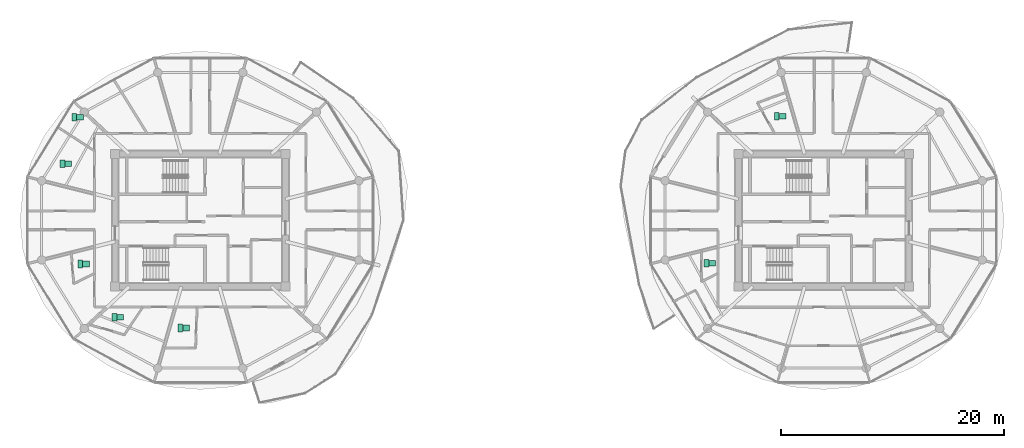
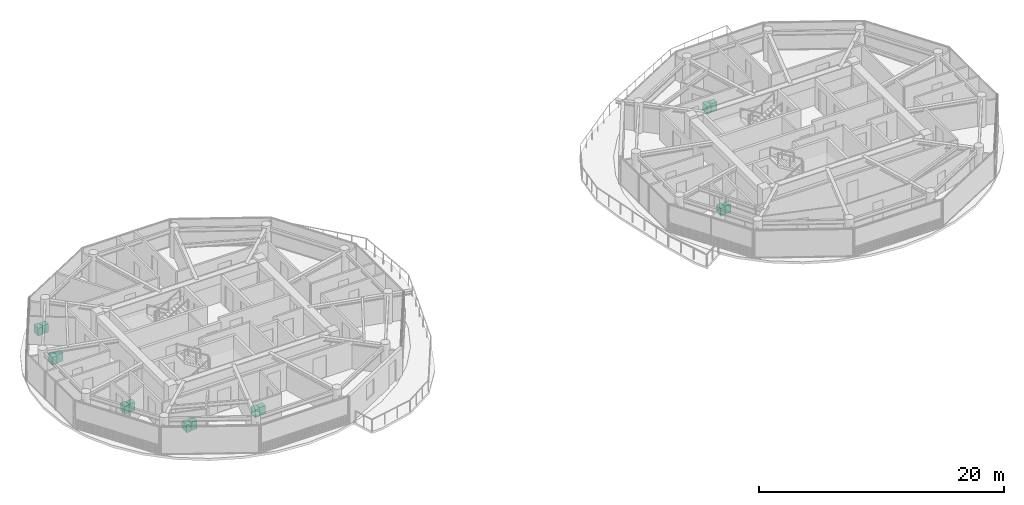
# One storey, part 19 of 19: 14 sanitary terminals.
"""IFC4 building model written with IfcOpenShell, lengths in metres."""

from ifc_helpers import new_model, si_unit, direction, frame, origin, origin_2d, place, context, subcontext, project, spatial, rectangle, extrude, source, transform, mapped, material, type_object, type_shapes, element, save


model = new_model("IFC4")

# Units and contexts
model_context = context("Model", 3, precision=1e-05, world=origin(), true_north=direction((0.0, 1.0)))
body_context = subcontext(model_context, "Body", "Model", "MODEL_VIEW")
ifc_project = project(units=[si_unit("LENGTHUNIT", "METRE"), si_unit("AREAUNIT", "SQUARE_METRE"), si_unit("VOLUMEUNIT", "CUBIC_METRE"), si_unit("PLANEANGLEUNIT", "RADIAN"), si_unit("MASSUNIT", "GRAM", prefix="KILO")], contexts=[model_context])

# Site, building, storey
site_placement = place(None, origin())
site = spatial("IfcSite", under=ifc_project, at=site_placement, CompositionType="ELEMENT")
building_placement = place(site_placement, origin())
building = spatial("IfcBuilding", under=site, at=building_placement, Name="Norrkilde Senior Care Towers", CompositionType="ELEMENT")
storey_placement = place(building_placement, frame((0.0, 0.0, 193.699951171875)))
storey = spatial("IfcBuildingStorey", under=building, at=storey_placement, Name="L60", CompositionType="ELEMENT", Elevation=193.699951171875)

# Sanitary terminals
ifc_material = material(Name="Porcelain Ceramic")
sanitary_terminal_type_1 = type_object("IfcSanitaryTerminalType", Name="Accessible Senior WC Suite", PredefinedType="TOILETPAN", material=ifc_material)
shared_shape_1 = source(origin(), body_context, "Body", "SweptSolid", [
    extrude(rectangle(XDim=0.419921875, YDim=0.679931640625, at=origin_2d()), origin(), (0.0, 0.0, 1.0), 0.780029296875),
])
type_shapes(sanitary_terminal_type_1, [shared_shape_1])
for number, where, z_axis, x_axis, name in (
    (1, (-39.333984375, 9.268798828125, 0.0), (0.0, 0.0, 1.0), (1.0, 0.0, 0.0), "L60 Accessible WC Pan 0151"),
    (2, (-40.38671875, 5.09326171875, 0.0), (0.0, 0.0, 1.0), (1.0, 0.0, 0.0), "L60 Accessible WC Pan 0152"),
    (3, (-38.79443359375, -3.923828125, 0.0), (0.0, 0.0, 1.0), (1.0, 0.0, 0.0), "L60 Accessible WC Pan 0153"),
    (4, (-35.711181640625, -8.721435546875, 0.0), (0.0, 0.0, 1.0), (1.0, 0.0, 0.0), "L60 Accessible WC Pan 0154"),
    (5, (-29.794921875, -9.67578125, 0.0), (0.0, 0.0, 1.0), (1.0, 0.0, 0.0), "L60 Accessible WC Pan 0155"),
    (6, (23.77978515625, 9.33984375, 0.0), (0.0, 0.0, 1.0), (1.0, 0.0, 0.0), "L60 Accessible WC Pan 0156"),
    (7, (17.47265625, -3.848388671875, 0.0), (0.0, 0.0, 1.0), (1.0, 0.0, 0.0), "L60 Accessible WC Pan 0157"),
):
    element("IfcSanitaryTerminal", number, at=place(storey_placement, frame(where, z_axis=z_axis, x_axis=x_axis)), inside=storey, type_object=sanitary_terminal_type_1, Name=name, PredefinedType="TOILETPAN", context=body_context, shape_type="MappedRepresentation", body=[
        mapped(shared_shape_1, transform((0.0, 0.0, 0.0), x_axis=(1.0, 0.0, 0.0), y_axis=(0.0, 1.0, 0.0), z_axis=(0.0, 0.0, 1.0), scale=1.0)),
    ])
sanitary_terminal_type_2 = type_object("IfcSanitaryTerminalType", Name="Thermostatic Care Washbasin", PredefinedType="WASHHANDBASIN", material=ifc_material)
shared_shape_2 = source(origin(), body_context, "Body", "SweptSolid", [
    extrude(rectangle(XDim=0.60009765625, YDim=0.5, at=origin_2d()), origin(), (0.0, 0.0, 1.0), 0.820068359375),
])
type_shapes(sanitary_terminal_type_2, [shared_shape_2])
for number, where, z_axis, x_axis, name in (
    (8, (-38.803955078125, 9.268798828125, 0.0), (0.0, 0.0, 1.0), (1.0, 0.0, 0.0), "L60 Accessible Washbasin 0151"),
    (9, (-39.856689453125, 5.09326171875, 0.0), (0.0, 0.0, 1.0), (1.0, 0.0, 0.0), "L60 Accessible Washbasin 0152"),
    (10, (-38.264404296875, -3.923828125, 0.0), (0.0, 0.0, 1.0), (1.0, 0.0, 0.0), "L60 Accessible Washbasin 0153"),
    (11, (-35.181396484375, -8.721435546875, 0.0), (0.0, 0.0, 1.0), (1.0, 0.0, 0.0), "L60 Accessible Washbasin 0154"),
    (12, (-29.264892578125, -9.67578125, 0.0), (0.0, 0.0, 1.0), (1.0, 0.0, 0.0), "L60 Accessible Washbasin 0155"),
    (13, (24.309814453125, 9.33984375, 0.0), (0.0, 0.0, 1.0), (1.0, 0.0, 0.0), "L60 Accessible Washbasin 0156"),
    (14, (18.002685546875, -3.848388671875, 0.0), (0.0, 0.0, 1.0), (1.0, 0.0, 0.0), "L60 Accessible Washbasin 0157"),
):
    element("IfcSanitaryTerminal", number, at=place(storey_placement, frame(where, z_axis=z_axis, x_axis=x_axis)), inside=storey, type_object=sanitary_terminal_type_2, Name=name, PredefinedType="WASHHANDBASIN", context=body_context, shape_type="MappedRepresentation", body=[
        mapped(shared_shape_2, transform((0.0, 0.0, 0.0), x_axis=(1.0, 0.0, 0.0), y_axis=(0.0, 1.0, 0.0), z_axis=(0.0, 0.0, 1.0), scale=1.0)),
    ])

save(model, "model.ifc")
